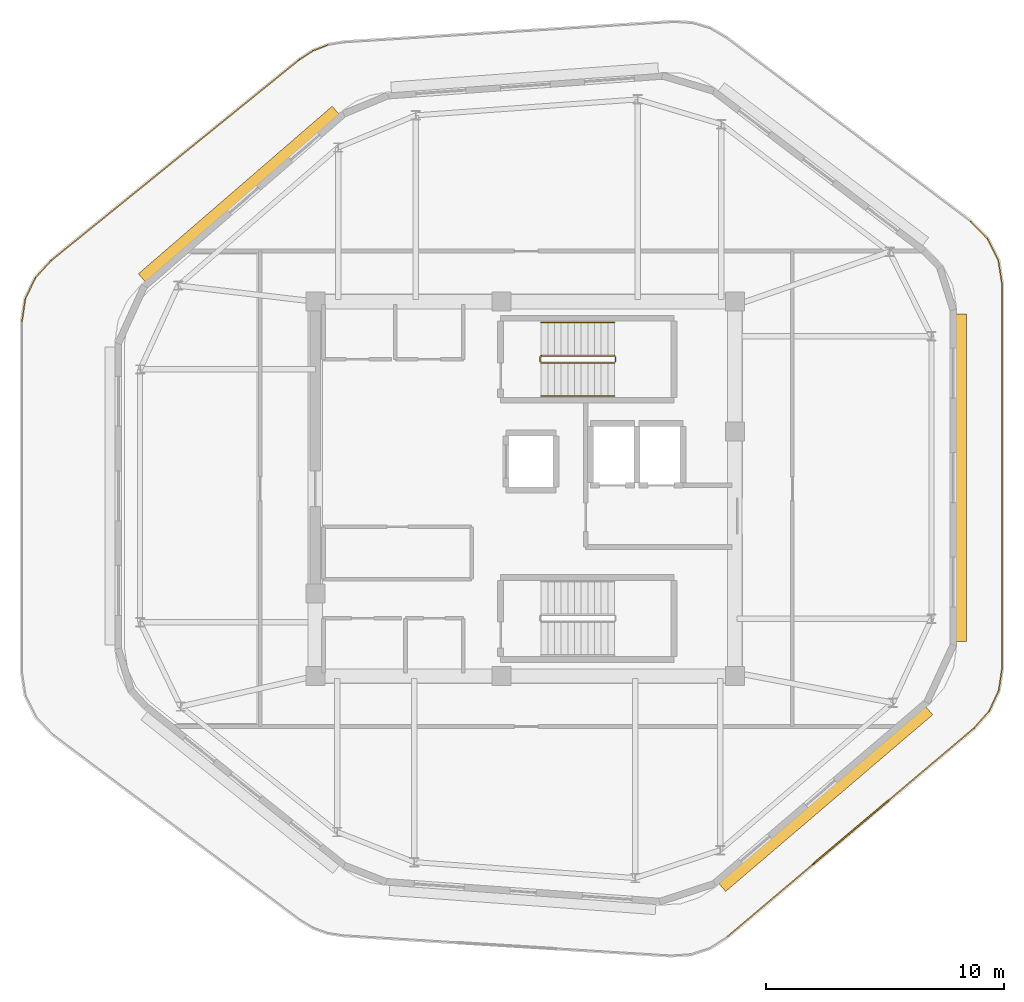
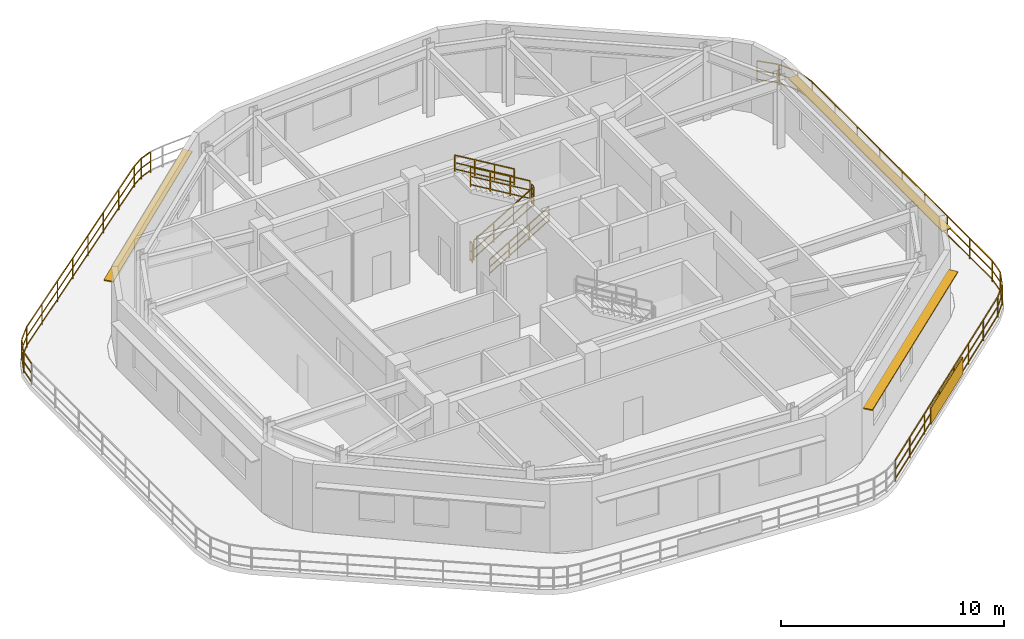
# One storey, part 6 of 7: 20 railings, 4 shading devices.
"""IFC4 building model written with IfcOpenShell, lengths in metres."""

import ifcopenshell
import ifcopenshell.guid

model = None  # the IFC model being written
_history = None  # IfcOwnerHistory: only IFC2X3 demands one
_inside = {}  # id of a spatial element -> (the spatial element, [elements in it])
_under = {}  # id of a project, library or spatial element -> (it, [spatial elements below it])
_declared = {}  # id of a project -> (the project, [libraries it declares])
_typed = {}  # id of a type object -> (the type object, [elements of that type])
_made_of = {}  # id of a material, layer set ... -> (it, [elements and type objects made of it])


def new_model(schema):
    """Start an empty IFC model of exactly this schema.

    Asked for "IFC4X3", IfcOpenShell would pick the latest addendum, in which some entities
    have other attributes; the version numbers below select the first issue.
    IFC2X3 requires an IfcOwnerHistory on every rooted entity: one is made here for all.
    """
    global model, _history
    if schema == "IFC4X3":
        model = ifcopenshell.file(schema_version=(4, 3, 0, 0))
    else:
        model = ifcopenshell.file(schema=schema)
    _inside.clear()
    _under.clear()
    _declared.clear()
    _typed.clear()
    _made_of.clear()
    _history = None
    if model.schema == "IFC2X3":
        org = make("IfcOrganization", Name="unknown")
        user = make(
            "IfcPersonAndOrganization",
            ThePerson=make("IfcPerson", FamilyName="unknown"),
            TheOrganization=org,
        )
        app = make(
            "IfcApplication",
            ApplicationDeveloper=org,
            Version="unknown",
            ApplicationFullName="unknown",
            ApplicationIdentifier="unknown",
        )
        _history = make(
            "IfcOwnerHistory",
            OwningUser=user,
            OwningApplication=app,
            ChangeAction="ADDED",
            CreationDate=0,
        )
    return model


def make(cls, **values):
    """One entity of the class cls with the attributes given. An attribute that is None is left unset."""
    return model.create_entity(
        cls, **{name: value for name, value in values.items() if value is not None}
    )


def rooted(cls, **values):
    """An entity with a GlobalId (a new one), such as an element, a storey or a relation."""
    return make(cls, GlobalId=ifcopenshell.guid.new(), OwnerHistory=_history, **values)


def si_unit(unit_type, name, prefix=None):
    """IfcSIUnit, for example si_unit("LENGTHUNIT", "METRE", prefix="MILLI")."""
    return make("IfcSIUnit", UnitType=unit_type, Prefix=prefix, Name=name)


def assignment(units):
    """IfcUnitAssignment: the units of a project."""
    return None if units is None else make("IfcUnitAssignment", Units=units)


def point(xyz):
    """IfcCartesianPoint."""
    return None if xyz is None else make("IfcCartesianPoint", Coordinates=xyz)


def direction(xyz):
    """IfcDirection."""
    return None if xyz is None else make("IfcDirection", DirectionRatios=xyz)


def frame(location, z_axis=None, x_axis=None):
    """IfcAxis2Placement3D, a coordinate frame: its origin and axes. An axis left out is left unset."""
    return make(
        "IfcAxis2Placement3D",
        Location=point(location),
        Axis=direction(z_axis),
        RefDirection=direction(x_axis),
    )


def frame_2d(location, x_axis=None):
    """IfcAxis2Placement2D, a coordinate frame in the plane: its origin and x axis."""
    return make(
        "IfcAxis2Placement2D", Location=point(location), RefDirection=direction(x_axis)
    )


def origin():
    """The frame at (0, 0, 0) with its axes left unset."""
    return frame((0.0, 0.0, 0.0))


def origin_2d():
    """The frame at (0, 0) in the plane with its x axis left unset."""
    return frame_2d((0.0, 0.0))


def place(relative_to, where):
    """IfcLocalPlacement: puts the frame where relative to a parent placement (None: the world)."""
    return make(
        "IfcLocalPlacement", PlacementRelTo=relative_to, RelativePlacement=where
    )


def context(
    kind, dimensions, precision=None, world=None, true_north=None, identifier=None
):
    """IfcGeometricRepresentationContext, for example the 3D "Model" context."""
    return make(
        "IfcGeometricRepresentationContext",
        ContextIdentifier=identifier,
        ContextType=kind,
        CoordinateSpaceDimension=dimensions,
        Precision=precision,
        WorldCoordinateSystem=world,
        TrueNorth=true_north,
    )


def subcontext(parent, identifier, kind, view, scale=None):
    """IfcGeometricRepresentationSubContext, for example "Body" below "Model"."""
    return make(
        "IfcGeometricRepresentationSubContext",
        ContextIdentifier=identifier,
        ContextType=kind,
        ParentContext=parent,
        TargetScale=scale,
        TargetView=view,
    )


def project(units=None, contexts=None):
    """IfcProject with its units and contexts."""
    return rooted(
        "IfcProject",
        Name="project",
        RepresentationContexts=contexts,
        UnitsInContext=assignment(units),
    )


def spatial(cls, under=None, at=None, **own):
    """A site, building, storey or space (cls), placed at a placement, below another one or the project."""
    s = rooted(cls, ObjectPlacement=at, **own)
    if under is not None:
        _under.setdefault(under.id(), (under, []))[1].append(s)
    return s


def profile(cls, at=None, kind="AREA", **sizes):
    """A parametric profile (cls). Its sizes go by their IFC names, for example OverallWidth=200.0."""
    return make(cls, ProfileType=kind, Position=at, **sizes)


def rectangle(**sizes):
    """IfcRectangleProfileDef."""
    return profile("IfcRectangleProfileDef", **sizes)


def extrude(swept, where, along, depth):
    """IfcExtrudedAreaSolid: the profile swept, set in the frame where, extruded along a direction by depth."""
    return make(
        "IfcExtrudedAreaSolid",
        SweptArea=swept,
        Position=where,
        ExtrudedDirection=direction(along),
        Depth=depth,
    )


def shape(context_of_items, identifier, shape_type, items):
    """IfcShapeRepresentation: the items that make up one representation, for example the "Body"."""
    return make(
        "IfcShapeRepresentation",
        ContextOfItems=context_of_items,
        RepresentationIdentifier=identifier,
        RepresentationType=shape_type,
        Items=items,
    )


def material(Name=None, Category=None):
    """IfcMaterial."""
    return make("IfcMaterial", Name=Name, Category=Category)


def layer(
    of_material, thickness, ventilated=None, Name=None, Category=None, Priority=None
):
    """IfcMaterialLayer: one layer of a wall or slab, of a material (None: an air gap)."""
    return make(
        "IfcMaterialLayer",
        Material=of_material,
        LayerThickness=thickness,
        IsVentilated=ventilated,
        Name=Name,
        Category=Category,
        Priority=Priority,
    )


def layer_set(layers, Name=None):
    """IfcMaterialLayerSet."""
    return make("IfcMaterialLayerSet", MaterialLayers=layers, LayerSetName=Name)


def made_of(thing, what):
    """Note that an element or type object is made of a material, layer set ...; save() writes the relation."""
    if what is not None:
        _made_of.setdefault(what.id(), (what, []))[1].append(thing)
    return thing


def type_object(cls, material=None, **own):
    """A type object (cls), such as IfcWallType, which elements share."""
    return made_of(rooted(cls, **own), material)


def element(
    cls,
    number,
    at=None,
    inside=None,
    cuts=None,
    type_object=None,
    material=None,
    context=None,
    identifier="Body",
    shape_type=None,
    held_by="IfcProductDefinitionShape",
    body=None,
    shapes=None,
    **own,
):
    """One element of the class cls, such as IfcWall. Its Tag is "e" and its number.

    at: its placement. inside: the storey or other place that contains it. cuts: it is an
    opening in that element (IfcRelVoidsElement). A single representation is given by context,
    identifier, shape_type and body (its items); several are given by shapes. held_by: the class
    of the entity that holds the representations. save() writes the other relations.
    """
    e = rooted(cls, Tag="e%d" % number, ObjectPlacement=at, **own)
    if body is not None:
        shapes = [shape(context, identifier, shape_type, body)]
    if shapes is not None:
        e.Representation = make(held_by, Representations=shapes)
    if inside is not None:
        _inside.setdefault(inside.id(), (inside, []))[1].append(e)
    if cuts is not None:
        rooted(
            "IfcRelVoidsElement", RelatingBuildingElement=cuts, RelatedOpeningElement=e
        )
    if type_object is not None:
        _typed.setdefault(type_object.id(), (type_object, []))[1].append(e)
    return made_of(e, material)


def aggregate(whole, parts):
    """IfcRelAggregates: a whole, such as a stair, and the parts it consists of."""
    return rooted("IfcRelAggregates", RelatingObject=whole, RelatedObjects=parts)


def save(model, path):
    """Write the relations noted so far, then the file.

    IfcRelAggregates (storeys below a building ...), IfcRelContainedInSpatialStructure (elements
    in a storey), IfcRelDefinesByType, IfcRelAssociatesMaterial and IfcRelDeclares: one each for
    every whole, place, type object, material and project.
    """
    for whole, parts in _under.values():
        aggregate(whole, parts)
    for where, things in _inside.values():
        rooted(
            "IfcRelContainedInSpatialStructure",
            RelatedElements=things,
            RelatingStructure=where,
        )
    for kind, things in _typed.values():
        rooted("IfcRelDefinesByType", RelatedObjects=things, RelatingType=kind)
    for what, things in _made_of.values():
        rooted("IfcRelAssociatesMaterial", RelatedObjects=things, RelatingMaterial=what)
    for by, libraries in _declared.values():
        rooted("IfcRelDeclares", RelatingContext=by, RelatedDefinitions=libraries)
    model.write(path)


model = new_model("IFC4")

# Units and contexts
model_context = context("Model", 3, precision=1e-05, world=origin(), true_north=direction((0.0, 1.0)))
body_context = subcontext(model_context, "Body", "Model", "MODEL_VIEW")
ifc_project = project(units=[si_unit("LENGTHUNIT", "METRE"), si_unit("AREAUNIT", "SQUARE_METRE"), si_unit("VOLUMEUNIT", "CUBIC_METRE"), si_unit("PLANEANGLEUNIT", "RADIAN"), si_unit("MASSUNIT", "GRAM", prefix="KILO")], contexts=[model_context])

# Site, building, storey
site_placement = place(None, origin())
site = spatial("IfcSite", under=ifc_project, at=site_placement, CompositionType="ELEMENT")
building_placement = place(site_placement, origin())
building = spatial("IfcBuilding", under=site, at=building_placement, Name="Zulverin Broadcast Headquarters", CompositionType="ELEMENT")
storey_placement = place(building_placement, frame((0.0, 0.0, 321.39990234375)))
storey = spatial("IfcBuildingStorey", under=building, at=storey_placement, Name="C3", CompositionType="ELEMENT", Elevation=321.39990234375)

# Railings
ifc_material_1 = material(Name="Brushed stainless steel & laminated glass balustrade", Category="steel")
railing_type_1 = type_object("IfcRailingType", Name="RL-GUARD-1150", PredefinedType="GUARDRAIL", material=ifc_material_1)
railing_1_placement = place(storey_placement, frame((18.2822265625, 32.234619140625, 0.0)))
element("IfcRailing", 1, at=railing_1_placement, inside=storey, type_object=railing_type_1, Name="C3 Stepped Crown Terrace Perimeter Balustrade Segment 06", PredefinedType="GUARDRAIL", context=body_context, shape_type="SweptSolid", body=[
    extrude(rectangle(XDim=0.048095703125, YDim=0.048095703125, at=origin_2d()), frame((0.0, 0.0, 1.1259765625), z_axis=(0.147879132693, 0.989005440892, 0.0), x_axis=(-0.989005440892, 0.147879132693, 0.0)), (0.0, 0.0, 1.0), 0.95751953125),
    extrude(rectangle(XDim=0.0419921875, YDim=0.0419921875, at=origin_2d()), frame((0.0, 0.0, 0.597900390625), z_axis=(0.147879132693, 0.989005440892, 0.0), x_axis=(-0.989005440892, 0.147879132693, 0.0)), (0.0, 0.0, 1.0), 0.95751953125),
    extrude(rectangle(XDim=0.0419921875, YDim=0.0419921875, at=origin_2d()), frame((0.0, 0.0, 0.1201171875), z_axis=(0.147879132693, 0.989005440892, 0.0), x_axis=(-0.989005440892, 0.147879132693, 0.0)), (0.0, 0.0, 1.0), 0.95751953125),
    extrude(rectangle(XDim=0.0419921875, YDim=0.0419921875, at=origin_2d()), origin(), (0.0, 0.0, 1.0), 1.101806640625),
    extrude(rectangle(XDim=0.0419921875, YDim=0.0419921875, at=origin_2d()), frame((0.1416015625, 0.947021484375, 0.0)), (0.0, 0.0, 1.0), 1.101806640625),
])
railing_2_placement = place(storey_placement, frame((18.4326171875, 33.2099609375, 0.0)))
element("IfcRailing", 2, at=railing_2_placement, inside=storey, type_object=railing_type_1, Name="C3 Stepped Crown Terrace Perimeter Balustrade Segment 07", PredefinedType="GUARDRAIL", context=body_context, shape_type="SweptSolid", body=[
    extrude(rectangle(XDim=0.048095703125, YDim=0.048095703125, at=origin_2d()), frame((0.0, 0.0, 1.1259765625), z_axis=(0.430511112686, 0.902585276776, 0.0), x_axis=(-0.902585276776, 0.430511112686, 0.0)), (0.0, 0.0, 1.0), 0.95166015625),
    extrude(rectangle(XDim=0.0419921875, YDim=0.0419921875, at=origin_2d()), frame((0.0, 0.0, 0.597900390625), z_axis=(0.430511112686, 0.902585276776, 0.0), x_axis=(-0.902585276776, 0.430511112686, 0.0)), (0.0, 0.0, 1.0), 0.95166015625),
    extrude(rectangle(XDim=0.0419921875, YDim=0.0419921875, at=origin_2d()), frame((0.0, 0.0, 0.1201171875), z_axis=(0.430511112686, 0.902585276776, 0.0), x_axis=(-0.902585276776, 0.430511112686, 0.0)), (0.0, 0.0, 1.0), 0.95166015625),
    extrude(rectangle(XDim=0.0419921875, YDim=0.0419921875, at=origin_2d()), origin(), (0.0, 0.0, 1.0), 1.101806640625),
    extrude(rectangle(XDim=0.0419921875, YDim=0.0419921875, at=origin_2d()), frame((0.40966796875, 0.85888671875, 0.0)), (0.0, 0.0, 1.0), 1.101806640625),
])
railing_3_placement = place(storey_placement, frame((18.85888671875, 34.093505859375, 0.0)))
element("IfcRailing", 3, at=railing_3_placement, inside=storey, type_object=railing_type_1, Name="C3 Stepped Crown Terrace Perimeter Balustrade Segment 08", PredefinedType="GUARDRAIL", context=body_context, shape_type="SweptSolid", body=[
    extrude(rectangle(XDim=0.048095703125, YDim=0.048095703125, at=origin_2d()), frame((0.0, 0.0, 1.1259765625), z_axis=(0.67584010732, 0.737048267983, 0.0), x_axis=(-0.737048267983, 0.67584010732, 0.0)), (0.0, 0.0, 1.0), 0.957275390625),
    extrude(rectangle(XDim=0.0419921875, YDim=0.0419921875, at=origin_2d()), frame((0.0, 0.0, 0.597900390625), z_axis=(0.67584010732, 0.737048267983, 0.0), x_axis=(-0.737048267983, 0.67584010732, 0.0)), (0.0, 0.0, 1.0), 0.957275390625),
    extrude(rectangle(XDim=0.0419921875, YDim=0.0419921875, at=origin_2d()), frame((0.0, 0.0, 0.1201171875), z_axis=(0.67584010732, 0.737048267983, 0.0), x_axis=(-0.737048267983, 0.67584010732, 0.0)), (0.0, 0.0, 1.0), 0.957275390625),
    extrude(rectangle(XDim=0.0419921875, YDim=0.0419921875, at=origin_2d()), origin(), (0.0, 0.0, 1.0), 1.101806640625),
    extrude(rectangle(XDim=0.0419921875, YDim=0.0419921875, at=origin_2d()), frame((0.64697265625, 0.70556640625, 0.0)), (0.0, 0.0, 1.0), 1.101806640625),
])
railing_4_placement = place(storey_placement, frame((19.527587890625, 34.819580078125, 0.0)))
element("IfcRailing", 4, at=railing_4_placement, inside=storey, type_object=railing_type_1, Name="C3 Stepped Crown Terrace Perimeter Balustrade Segment 09", PredefinedType="GUARDRAIL", context=body_context, shape_type="SweptSolid", body=[
    extrude(rectangle(XDim=0.048095703125, YDim=0.048095703125, at=origin_2d()), frame((0.0, 0.0, 1.1259765625), z_axis=(0.777321303861, 0.629103799515, 0.0), x_axis=(-0.629103799515, 0.777321303861, 0.0)), (0.0, 0.0, 1.0), 13.38818359375),
    extrude(rectangle(XDim=0.0419921875, YDim=0.0419921875, at=origin_2d()), frame((0.0, 0.0, 0.597900390625), z_axis=(0.777321303861, 0.629103799515, 0.0), x_axis=(-0.629103799515, 0.777321303861, 0.0)), (0.0, 0.0, 1.0), 13.38818359375),
    extrude(rectangle(XDim=0.0419921875, YDim=0.0419921875, at=origin_2d()), frame((0.0, 0.0, 0.1201171875), z_axis=(0.777321303861, 0.629103799515, 0.0), x_axis=(-0.629103799515, 0.777321303861, 0.0)), (0.0, 0.0, 1.0), 13.38818359375),
    extrude(rectangle(XDim=0.0419921875, YDim=0.0419921875, at=origin_2d()), origin(), (0.0, 0.0, 1.0), 1.101806640625),
    extrude(rectangle(XDim=0.0419921875, YDim=0.0419921875, at=origin_2d()), frame((1.48681640625, 1.203125, 0.0)), (0.0, 0.0, 1.0), 1.101806640625),
    extrude(rectangle(XDim=0.0419921875, YDim=0.0419921875, at=origin_2d()), frame((2.973388671875, 2.406494140625, 0.0)), (0.0, 0.0, 1.0), 1.101806640625),
    extrude(rectangle(XDim=0.0419921875, YDim=0.0419921875, at=origin_2d()), frame((4.460205078125, 3.609619140625, 0.0)), (0.0, 0.0, 1.0), 1.101806640625),
    extrude(rectangle(XDim=0.0419921875, YDim=0.0419921875, at=origin_2d()), frame((5.94677734375, 4.81298828125, 0.0)), (0.0, 0.0, 1.0), 1.101806640625),
    extrude(rectangle(XDim=0.0419921875, YDim=0.0419921875, at=origin_2d()), frame((7.43359375, 6.01611328125, 0.0)), (0.0, 0.0, 1.0), 1.101806640625),
    extrude(rectangle(XDim=0.0419921875, YDim=0.0419921875, at=origin_2d()), frame((8.920166015625, 7.219482421875, 0.0)), (0.0, 0.0, 1.0), 1.101806640625),
    extrude(rectangle(XDim=0.0419921875, YDim=0.0419921875, at=origin_2d()), frame((10.406982421875, 8.422607421875, 0.0)), (0.0, 0.0, 1.0), 1.101806640625),
])
railing_5_placement = place(storey_placement, frame((29.958984375, 43.259765625, 0.0)))
element("IfcRailing", 5, at=railing_5_placement, inside=storey, type_object=railing_type_1, Name="C3 Stepped Crown Terrace Perimeter Balustrade Segment 10", PredefinedType="GUARDRAIL", context=body_context, shape_type="SweptSolid", body=[
    extrude(rectangle(XDim=0.048095703125, YDim=0.048095703125, at=origin_2d()), frame((0.0, 0.0, 1.1259765625), z_axis=(0.838112584838, 0.545497291594, 0.0), x_axis=(-0.545497291594, 0.838112584838, 0.0)), (0.0, 0.0, 1.0), 0.657470703125),
    extrude(rectangle(XDim=0.0419921875, YDim=0.0419921875, at=origin_2d()), frame((0.0, 0.0, 0.597900390625), z_axis=(0.838112584838, 0.545497291594, 0.0), x_axis=(-0.545497291594, 0.838112584838, 0.0)), (0.0, 0.0, 1.0), 0.657470703125),
    extrude(rectangle(XDim=0.0419921875, YDim=0.0419921875, at=origin_2d()), frame((0.0, 0.0, 0.1201171875), z_axis=(0.838112584838, 0.545497291594, 0.0), x_axis=(-0.545497291594, 0.838112584838, 0.0)), (0.0, 0.0, 1.0), 0.657470703125),
    extrude(rectangle(XDim=0.0419921875, YDim=0.0419921875, at=origin_2d()), origin(), (0.0, 0.0, 1.0), 1.101806640625),
    extrude(rectangle(XDim=0.0419921875, YDim=0.0419921875, at=origin_2d()), frame((0.551025390625, 0.358642578125, 0.0)), (0.0, 0.0, 1.0), 1.101806640625),
])
railing_6_placement = place(storey_placement, frame((30.53662109375, 43.632080078125, 0.0)))
element("IfcRailing", 6, at=railing_6_placement, inside=storey, type_object=railing_type_1, Name="C3 Stepped Crown Terrace Perimeter Balustrade Segment 11", PredefinedType="GUARDRAIL", context=body_context, shape_type="SweptSolid", body=[
    extrude(rectangle(XDim=0.048095703125, YDim=0.048095703125, at=origin_2d()), frame((0.0, 0.0, 1.1259765625), z_axis=(0.931864360626, 0.362806854117, 0.0), x_axis=(-0.362806854117, 0.931864360626, 0.0)), (0.0, 0.0, 1.0), 0.6533203125),
    extrude(rectangle(XDim=0.0419921875, YDim=0.0419921875, at=origin_2d()), frame((0.0, 0.0, 0.597900390625), z_axis=(0.931864360626, 0.362806854117, 0.0), x_axis=(-0.362806854117, 0.931864360626, 0.0)), (0.0, 0.0, 1.0), 0.6533203125),
    extrude(rectangle(XDim=0.0419921875, YDim=0.0419921875, at=origin_2d()), frame((0.0, 0.0, 0.1201171875), z_axis=(0.931864360626, 0.362806854117, 0.0), x_axis=(-0.362806854117, 0.931864360626, 0.0)), (0.0, 0.0, 1.0), 0.6533203125),
    extrude(rectangle(XDim=0.0419921875, YDim=0.0419921875, at=origin_2d()), origin(), (0.0, 0.0, 1.0), 1.101806640625),
    extrude(rectangle(XDim=0.0419921875, YDim=0.0419921875, at=origin_2d()), frame((0.60888671875, 0.237060546875, 0.0)), (0.0, 0.0, 1.0), 1.101806640625),
])
railing_7_placement = place(storey_placement, frame((58.200439453125, 36.445068359375, 0.0)))
element("IfcRailing", 7, at=railing_7_placement, inside=storey, type_object=railing_type_1, Name="C3 Stepped Crown Terrace Perimeter Balustrade Segment 18", PredefinedType="GUARDRAIL", context=body_context, shape_type="SweptSolid", body=[
    extrude(rectangle(XDim=0.048095703125, YDim=0.048095703125, at=origin_2d()), frame((0.0, 0.0, 1.1259765625), z_axis=(0.697365162044, -0.716716004264, 0.0), x_axis=(0.716716004264, 0.697365162044, 0.0)), (0.0, 0.0, 1.0), 0.996826171875),
    extrude(rectangle(XDim=0.0419921875, YDim=0.0419921875, at=origin_2d()), frame((0.0, 0.0, 0.597900390625), z_axis=(0.697365162044, -0.716716004264, 0.0), x_axis=(0.716716004264, 0.697365162044, 0.0)), (0.0, 0.0, 1.0), 0.996826171875),
    extrude(rectangle(XDim=0.0419921875, YDim=0.0419921875, at=origin_2d()), frame((0.0, 0.0, 0.1201171875), z_axis=(0.697365162044, -0.716716004264, 0.0), x_axis=(0.716716004264, 0.697365162044, 0.0)), (0.0, 0.0, 1.0), 0.996826171875),
    extrude(rectangle(XDim=0.0419921875, YDim=0.0419921875, at=origin_2d()), origin(), (0.0, 0.0, 1.0), 1.101806640625),
    extrude(rectangle(XDim=0.0419921875, YDim=0.0419921875, at=origin_2d()), frame((0.695068359375, -0.71435546875, 0.0)), (0.0, 0.0, 1.0), 1.101806640625),
])
railing_8_placement = place(storey_placement, frame((58.912841796875, 35.70654296875, 0.0)))
element("IfcRailing", 8, at=railing_8_placement, inside=storey, type_object=railing_type_1, Name="C3 Stepped Crown Terrace Perimeter Balustrade Segment 19", PredefinedType="GUARDRAIL", context=body_context, shape_type="SweptSolid", body=[
    extrude(rectangle(XDim=0.048095703125, YDim=0.048095703125, at=origin_2d()), frame((0.0, 0.0, 1.1259765625), z_axis=(0.446819227293, -0.89462426645, 0.0), x_axis=(0.89462426645, 0.446819227293, 0.0)), (0.0, 0.0, 1.0), 0.99072265625),
    extrude(rectangle(XDim=0.0419921875, YDim=0.0419921875, at=origin_2d()), frame((0.0, 0.0, 0.597900390625), z_axis=(0.446819227293, -0.89462426645, 0.0), x_axis=(0.89462426645, 0.446819227293, 0.0)), (0.0, 0.0, 1.0), 0.99072265625),
    extrude(rectangle(XDim=0.0419921875, YDim=0.0419921875, at=origin_2d()), frame((0.0, 0.0, 0.1201171875), z_axis=(0.446819227293, -0.89462426645, 0.0), x_axis=(0.89462426645, 0.446819227293, 0.0)), (0.0, 0.0, 1.0), 0.99072265625),
    extrude(rectangle(XDim=0.0419921875, YDim=0.0419921875, at=origin_2d()), origin(), (0.0, 0.0, 1.0), 1.101806640625),
    extrude(rectangle(XDim=0.0419921875, YDim=0.0419921875, at=origin_2d()), frame((0.442626953125, -0.88623046875, 0.0)), (0.0, 0.0, 1.0), 1.101806640625),
])
railing_9_placement = place(storey_placement, frame((59.364501953125, 34.7919921875, 0.0)))
element("IfcRailing", 9, at=railing_9_placement, inside=storey, type_object=railing_type_1, Name="C3 Stepped Crown Terrace Perimeter Balustrade Segment 20", PredefinedType="GUARDRAIL", context=body_context, shape_type="SweptSolid", body=[
    extrude(rectangle(XDim=0.048095703125, YDim=0.048095703125, at=origin_2d()), frame((0.0, 0.0, 1.1259765625), z_axis=(0.153547599807, -0.988141252349, 0.0), x_axis=(0.988141252349, 0.153547599807, 0.0)), (0.0, 0.0, 1.0), 0.996826171875),
    extrude(rectangle(XDim=0.0419921875, YDim=0.0419921875, at=origin_2d()), frame((0.0, 0.0, 0.597900390625), z_axis=(0.153547599807, -0.988141252349, 0.0), x_axis=(0.988141252349, 0.153547599807, 0.0)), (0.0, 0.0, 1.0), 0.996826171875),
    extrude(rectangle(XDim=0.0419921875, YDim=0.0419921875, at=origin_2d()), frame((0.0, 0.0, 0.1201171875), z_axis=(0.153547599807, -0.988141252349, 0.0), x_axis=(0.988141252349, 0.153547599807, 0.0)), (0.0, 0.0, 1.0), 0.996826171875),
    extrude(rectangle(XDim=0.0419921875, YDim=0.0419921875, at=origin_2d()), origin(), (0.0, 0.0, 1.0), 1.101806640625),
    extrude(rectangle(XDim=0.0419921875, YDim=0.0419921875, at=origin_2d()), frame((0.153076171875, -0.985107421875, 0.0)), (0.0, 0.0, 1.0), 1.101806640625),
])
railing_10_placement = place(storey_placement, frame((59.52001953125, 33.777099609375, 0.0)))
element("IfcRailing", 10, at=railing_10_placement, inside=storey, type_object=railing_type_1, Name="C3 Stepped Crown Terrace Perimeter Balustrade Segment 21", PredefinedType="GUARDRAIL", context=body_context, shape_type="SweptSolid", body=[
    extrude(rectangle(XDim=0.048095703125, YDim=0.048095703125, at=origin_2d()), frame((0.0, 0.0, 1.1259765625), z_axis=(0.0, -1.0, 0.0), x_axis=(1.0, 0.0, 0.0)), (0.0, 0.0, 1.0), 16.086669921875),
    extrude(rectangle(XDim=0.0419921875, YDim=0.0419921875, at=origin_2d()), frame((0.0, 0.0, 0.597900390625), z_axis=(0.0, -1.0, 0.0), x_axis=(1.0, 0.0, 0.0)), (0.0, 0.0, 1.0), 16.086669921875),
    extrude(rectangle(XDim=0.0419921875, YDim=0.0419921875, at=origin_2d()), frame((0.0, 0.0, 0.1201171875), z_axis=(0.0, -1.0, 0.0), x_axis=(1.0, 0.0, 0.0)), (0.0, 0.0, 1.0), 16.086669921875),
    extrude(rectangle(XDim=0.0419921875, YDim=0.0419921875, at=origin_2d()), origin(), (0.0, 0.0, 1.0), 1.101806640625),
    extrude(rectangle(XDim=0.0419921875, YDim=0.0419921875, at=origin_2d()), frame((0.0, -2.0107421875, 0.0)), (0.0, 0.0, 1.0), 1.101806640625),
    extrude(rectangle(XDim=0.0419921875, YDim=0.0419921875, at=origin_2d()), frame((0.0, -4.021728515625, 0.0)), (0.0, 0.0, 1.0), 1.101806640625),
    extrude(rectangle(XDim=0.0419921875, YDim=0.0419921875, at=origin_2d()), frame((0.0, -6.032470703125, 0.0)), (0.0, 0.0, 1.0), 1.101806640625),
    extrude(rectangle(XDim=0.0419921875, YDim=0.0419921875, at=origin_2d()), frame((0.0, -8.04345703125, 0.0)), (0.0, 0.0, 1.0), 1.101806640625),
    extrude(rectangle(XDim=0.0419921875, YDim=0.0419921875, at=origin_2d()), frame((0.0, -10.05419921875, 0.0)), (0.0, 0.0, 1.0), 1.101806640625),
    extrude(rectangle(XDim=0.0419921875, YDim=0.0419921875, at=origin_2d()), frame((0.0, -12.06494140625, 0.0)), (0.0, 0.0, 1.0), 1.101806640625),
    extrude(rectangle(XDim=0.0419921875, YDim=0.0419921875, at=origin_2d()), frame((0.0, -14.075927734375, 0.0)), (0.0, 0.0, 1.0), 1.101806640625),
    extrude(rectangle(XDim=0.0419921875, YDim=0.0419921875, at=origin_2d()), frame((0.0, -16.086669921875, 0.0)), (0.0, 0.0, 1.0), 1.101806640625),
])
railing_11_placement = place(storey_placement, frame((59.517822265625, 17.66064453125, 0.0)))
element("IfcRailing", 11, at=railing_11_placement, inside=storey, type_object=railing_type_1, Name="C3 Stepped Crown Terrace Perimeter Balustrade Segment 22", PredefinedType="GUARDRAIL", context=body_context, shape_type="SweptSolid", body=[
    extrude(rectangle(XDim=0.048095703125, YDim=0.048095703125, at=origin_2d()), frame((0.0, 0.0, 1.1259765625), z_axis=(-0.144312226214, -0.989532203299, 0.0), x_axis=(0.989532203299, -0.144312226214, 0.0)), (0.0, 0.0, 1.0), 0.933837890625),
    extrude(rectangle(XDim=0.0419921875, YDim=0.0419921875, at=origin_2d()), frame((0.0, 0.0, 0.597900390625), z_axis=(-0.144312226214, -0.989532203299, 0.0), x_axis=(0.989532203299, -0.144312226214, 0.0)), (0.0, 0.0, 1.0), 0.933837890625),
    extrude(rectangle(XDim=0.0419921875, YDim=0.0419921875, at=origin_2d()), frame((0.0, 0.0, 0.1201171875), z_axis=(-0.144312226214, -0.989532203299, 0.0), x_axis=(0.989532203299, -0.144312226214, 0.0)), (0.0, 0.0, 1.0), 0.933837890625),
    extrude(rectangle(XDim=0.0419921875, YDim=0.0419921875, at=origin_2d()), origin(), (0.0, 0.0, 1.0), 1.101806640625),
    extrude(rectangle(XDim=0.0419921875, YDim=0.0419921875, at=origin_2d()), frame((-0.134765625, -0.924072265625, 0.0)), (0.0, 0.0, 1.0), 1.101806640625),
])
railing_12_placement = place(storey_placement, frame((59.37451171875, 16.7080078125, 0.0)))
element("IfcRailing", 12, at=railing_12_placement, inside=storey, type_object=railing_type_1, Name="C3 Stepped Crown Terrace Perimeter Balustrade Segment 23", PredefinedType="GUARDRAIL", context=body_context, shape_type="SweptSolid", body=[
    extrude(rectangle(XDim=0.048095703125, YDim=0.048095703125, at=origin_2d()), frame((0.0, 0.0, 1.1259765625), z_axis=(-0.42102625995, -0.907048448779, 0.0), x_axis=(0.907048448779, -0.42102625995, 0.0)), (0.0, 0.0, 1.0), 0.927734375),
    extrude(rectangle(XDim=0.0419921875, YDim=0.0419921875, at=origin_2d()), frame((0.0, 0.0, 0.597900390625), z_axis=(-0.42102625995, -0.907048448779, 0.0), x_axis=(0.907048448779, -0.42102625995, 0.0)), (0.0, 0.0, 1.0), 0.927734375),
    extrude(rectangle(XDim=0.0419921875, YDim=0.0419921875, at=origin_2d()), frame((0.0, 0.0, 0.1201171875), z_axis=(-0.42102625995, -0.907048448779, 0.0), x_axis=(0.907048448779, -0.42102625995, 0.0)), (0.0, 0.0, 1.0), 0.927734375),
    extrude(rectangle(XDim=0.0419921875, YDim=0.0419921875, at=origin_2d()), origin(), (0.0, 0.0, 1.0), 1.101806640625),
    extrude(rectangle(XDim=0.0419921875, YDim=0.0419921875, at=origin_2d()), frame((-0.390625, -0.841552734375, 0.0)), (0.0, 0.0, 1.0), 1.101806640625),
])
railing_13_placement = place(storey_placement, frame((58.9677734375, 15.841552734375, 0.0)))
element("IfcRailing", 13, at=railing_13_placement, inside=storey, type_object=railing_type_1, Name="C3 Stepped Crown Terrace Perimeter Balustrade Segment 24", PredefinedType="GUARDRAIL", context=body_context, shape_type="SweptSolid", body=[
    extrude(rectangle(XDim=0.048095703125, YDim=0.048095703125, at=origin_2d()), frame((0.0, 0.0, 1.1259765625), z_axis=(-0.662382096437, -0.749166175371, 0.0), x_axis=(0.749166175371, -0.662382096437, 0.0)), (0.0, 0.0, 1.0), 0.93408203125),
    extrude(rectangle(XDim=0.0419921875, YDim=0.0419921875, at=origin_2d()), frame((0.0, 0.0, 0.597900390625), z_axis=(-0.662382096437, -0.749166175371, 0.0), x_axis=(0.749166175371, -0.662382096437, 0.0)), (0.0, 0.0, 1.0), 0.93408203125),
    extrude(rectangle(XDim=0.0419921875, YDim=0.0419921875, at=origin_2d()), frame((0.0, 0.0, 0.1201171875), z_axis=(-0.662382096437, -0.749166175371, 0.0), x_axis=(0.749166175371, -0.662382096437, 0.0)), (0.0, 0.0, 1.0), 0.93408203125),
    extrude(rectangle(XDim=0.0419921875, YDim=0.0419921875, at=origin_2d()), origin(), (0.0, 0.0, 1.0), 1.101806640625),
    extrude(rectangle(XDim=0.0419921875, YDim=0.0419921875, at=origin_2d()), frame((-0.61865234375, -0.69970703125, 0.0)), (0.0, 0.0, 1.0), 1.101806640625),
])
railing_14_placement = place(storey_placement, frame((58.327880859375, 15.12109375, 0.0)))
element("IfcRailing", 14, at=railing_14_placement, inside=storey, type_object=railing_type_1, Name="C3 Stepped Crown Terrace Perimeter Balustrade Segment 25", PredefinedType="GUARDRAIL", context=body_context, shape_type="SweptSolid", body=[
    extrude(rectangle(XDim=0.048095703125, YDim=0.048095703125, at=origin_2d()), frame((0.0, 0.0, 1.1259765625), z_axis=(-0.763588848524, -0.645702772496, 0.0), x_axis=(0.645702772496, -0.763588848524, 0.0)), (0.0, 0.0, 1.0), 13.575439453125),
    extrude(rectangle(XDim=0.0419921875, YDim=0.0419921875, at=origin_2d()), frame((0.0, 0.0, 0.597900390625), z_axis=(-0.763588848524, -0.645702772496, 0.0), x_axis=(0.645702772496, -0.763588848524, 0.0)), (0.0, 0.0, 1.0), 13.575439453125),
    extrude(rectangle(XDim=0.0419921875, YDim=0.0419921875, at=origin_2d()), frame((0.0, 0.0, 0.1201171875), z_axis=(-0.763588848524, -0.645702772496, 0.0), x_axis=(0.645702772496, -0.763588848524, 0.0)), (0.0, 0.0, 1.0), 13.575439453125),
    extrude(rectangle(XDim=0.0419921875, YDim=0.0419921875, at=origin_2d()), origin(), (0.0, 0.0, 1.0), 1.101806640625),
    extrude(rectangle(XDim=0.0419921875, YDim=0.0419921875, at=origin_2d()), frame((-1.48095703125, -1.252197265625, 0.0)), (0.0, 0.0, 1.0), 1.101806640625),
    extrude(rectangle(XDim=0.0419921875, YDim=0.0419921875, at=origin_2d()), frame((-2.961669921875, -2.50439453125, 0.0)), (0.0, 0.0, 1.0), 1.101806640625),
    extrude(rectangle(XDim=0.0419921875, YDim=0.0419921875, at=origin_2d()), frame((-4.442626953125, -3.756591796875, 0.0)), (0.0, 0.0, 1.0), 1.101806640625),
    extrude(rectangle(XDim=0.0419921875, YDim=0.0419921875, at=origin_2d()), frame((-5.92333984375, -5.009033203125, 0.0)), (0.0, 0.0, 1.0), 1.101806640625),
    extrude(rectangle(XDim=0.0419921875, YDim=0.0419921875, at=origin_2d()), frame((-7.404296875, -6.26123046875, 0.0)), (0.0, 0.0, 1.0), 1.101806640625),
    extrude(rectangle(XDim=0.0419921875, YDim=0.0419921875, at=origin_2d()), frame((-8.885009765625, -7.513427734375, 0.0)), (0.0, 0.0, 1.0), 1.101806640625),
    extrude(rectangle(XDim=0.0419921875, YDim=0.0419921875, at=origin_2d()), frame((-10.365966796875, -8.765625, 0.0)), (0.0, 0.0, 1.0), 1.101806640625),
])
ifc_material_2 = material(Name="Painted galvanized steel tubular guardrail S355JR", Category="steel")
railing_type_2 = type_object("IfcRailingType", Name="RL-ST-GUARD", PredefinedType="GUARDRAIL", material=ifc_material_2)
railing_15_placement = place(storey_placement, frame((40.1298828125, 30.5, 0.166748046875)))
element("IfcRailing", 15, at=railing_15_placement, inside=storey, type_object=railing_type_2, Name="C3 ST-1 stair guard 1", PredefinedType="GUARDRAIL", context=body_context, shape_type="SweptSolid", body=[
    extrude(rectangle(XDim=0.048095703125, YDim=0.048095703125, at=origin_2d()), frame((0.0, 0.0, 1.076171875), z_axis=(0.859308565015, 0.0, 0.511457515432), x_axis=(0.0, 1.0, 0.0)), (0.0, 0.0, 1.0), 3.58447265625),
    extrude(rectangle(XDim=0.0419921875, YDim=0.0419921875, at=origin_2d()), frame((0.0, 0.0, 0.572021484375), z_axis=(0.859308565015, 0.0, 0.511457515432), x_axis=(0.0, 1.0, 0.0)), (0.0, 0.0, 1.0), 3.58447265625),
    extrude(rectangle(XDim=0.0419921875, YDim=0.0419921875, at=origin_2d()), frame((0.0, 0.0, 0.1201171875), z_axis=(0.859308565015, 0.0, 0.511457515432), x_axis=(0.0, 1.0, 0.0)), (0.0, 0.0, 1.0), 3.58447265625),
    extrude(rectangle(XDim=0.0419921875, YDim=0.0419921875, at=origin_2d()), origin(), (0.0, 0.0, 1.0), 1.052001953125),
    extrude(rectangle(XDim=0.0419921875, YDim=0.0419921875, at=origin_2d()), frame((1.026611328125, 0.0, 0.611083984375)), (0.0, 0.0, 1.0), 1.052001953125),
    extrude(rectangle(XDim=0.0419921875, YDim=0.0419921875, at=origin_2d()), frame((2.053466796875, 0.0, 1.22216796875)), (0.0, 0.0, 1.0), 1.052001953125),
    extrude(rectangle(XDim=0.0419921875, YDim=0.0419921875, at=origin_2d()), frame((3.080078125, 0.0, 1.833251953125)), (0.0, 0.0, 1.0), 1.052001953125),
])
railing_16_placement = place(storey_placement, frame((43.260009765625, 30.550048828125, 2.0)))
element("IfcRailing", 16, at=railing_16_placement, inside=storey, type_object=railing_type_2, Name="C3 ST-1 stair guard 2", PredefinedType="GUARDRAIL", context=body_context, shape_type="SweptSolid", body=[
    extrude(rectangle(XDim=0.048095703125, YDim=0.048095703125, at=origin_2d()), frame((0.0, 0.0, 1.076171875), z_axis=(0.0, 1.0, 0.0), x_axis=(-1.0, 0.0, 0.0)), (0.0, 0.0, 1.0), 0.199951171875),
    extrude(rectangle(XDim=0.0419921875, YDim=0.0419921875, at=origin_2d()), frame((0.0, 0.0, 0.572021484375), z_axis=(0.0, 1.0, 0.0), x_axis=(-1.0, 0.0, 0.0)), (0.0, 0.0, 1.0), 0.199951171875),
    extrude(rectangle(XDim=0.0419921875, YDim=0.0419921875, at=origin_2d()), frame((0.0, 0.0, 0.1201171875), z_axis=(0.0, 1.0, 0.0), x_axis=(-1.0, 0.0, 0.0)), (0.0, 0.0, 1.0), 0.199951171875),
    extrude(rectangle(XDim=0.0419921875, YDim=0.0419921875, at=origin_2d()), origin(), (0.0, 0.0, 1.0), 1.052001953125),
    extrude(rectangle(XDim=0.0419921875, YDim=0.0419921875, at=origin_2d()), frame((0.0, 0.199951171875, 0.0)), (0.0, 0.0, 1.0), 1.052001953125),
])
railing_17_placement = place(storey_placement, frame((43.2099609375, 30.800048828125, 2.166748046875)))
element("IfcRailing", 17, at=railing_17_placement, inside=storey, type_object=railing_type_2, Name="C3 ST-1 stair guard 3", PredefinedType="GUARDRAIL", context=body_context, shape_type="SweptSolid", body=[
    extrude(rectangle(XDim=0.048095703125, YDim=0.048095703125, at=origin_2d()), frame((0.0, 0.0, 1.076171875), z_axis=(-0.859308565015, 0.0, 0.511457515432), x_axis=(0.0, -1.0, 0.0)), (0.0, 0.0, 1.0), 3.58447265625),
    extrude(rectangle(XDim=0.0419921875, YDim=0.0419921875, at=origin_2d()), frame((0.0, 0.0, 0.572021484375), z_axis=(-0.859308565015, 0.0, 0.511457515432), x_axis=(0.0, -1.0, 0.0)), (0.0, 0.0, 1.0), 3.58447265625),
    extrude(rectangle(XDim=0.0419921875, YDim=0.0419921875, at=origin_2d()), frame((0.0, 0.0, 0.1201171875), z_axis=(-0.859308565015, 0.0, 0.511457515432), x_axis=(0.0, -1.0, 0.0)), (0.0, 0.0, 1.0), 3.58447265625),
    extrude(rectangle(XDim=0.0419921875, YDim=0.0419921875, at=origin_2d()), origin(), (0.0, 0.0, 1.0), 1.052001953125),
    extrude(rectangle(XDim=0.0419921875, YDim=0.0419921875, at=origin_2d()), frame((-1.026611328125, 0.0, 0.611083984375)), (0.0, 0.0, 1.0), 1.052001953125),
    extrude(rectangle(XDim=0.0419921875, YDim=0.0419921875, at=origin_2d()), frame((-2.053466796875, 0.0, 1.22216796875)), (0.0, 0.0, 1.0), 1.052001953125),
    extrude(rectangle(XDim=0.0419921875, YDim=0.0419921875, at=origin_2d()), frame((-3.080078125, 0.0, 1.833251953125)), (0.0, 0.0, 1.0), 1.052001953125),
])
railing_18_placement = place(storey_placement, frame((40.080078125, 30.550048828125, 0.0)))
element("IfcRailing", 18, at=railing_18_placement, inside=storey, type_object=railing_type_2, Name="C3 ST-1 stair guard 4", PredefinedType="GUARDRAIL", context=body_context, shape_type="SweptSolid", body=[
    extrude(rectangle(XDim=0.048095703125, YDim=0.048095703125, at=origin_2d()), frame((0.0, 0.0, 1.076171875), z_axis=(0.0, 1.0, 0.0), x_axis=(-1.0, 0.0, 0.0)), (0.0, 0.0, 1.0), 0.199951171875),
    extrude(rectangle(XDim=0.0419921875, YDim=0.0419921875, at=origin_2d()), frame((0.0, 0.0, 0.572021484375), z_axis=(0.0, 1.0, 0.0), x_axis=(-1.0, 0.0, 0.0)), (0.0, 0.0, 1.0), 0.199951171875),
    extrude(rectangle(XDim=0.0419921875, YDim=0.0419921875, at=origin_2d()), frame((0.0, 0.0, 0.1201171875), z_axis=(0.0, 1.0, 0.0), x_axis=(-1.0, 0.0, 0.0)), (0.0, 0.0, 1.0), 0.199951171875),
    extrude(rectangle(XDim=0.0419921875, YDim=0.0419921875, at=origin_2d()), origin(), (0.0, 0.0, 1.0), 1.052001953125),
    extrude(rectangle(XDim=0.0419921875, YDim=0.0419921875, at=origin_2d()), frame((0.0, 0.199951171875, 0.0)), (0.0, 0.0, 1.0), 1.052001953125),
])
ifc_material_3 = material(Name="Brushed stainless steel 48 mm handrail", Category="steel")
railing_type_3 = type_object("IfcRailingType", Name="RL-ST-HAND", PredefinedType="HANDRAIL", material=ifc_material_3)
railing_19_placement = place(storey_placement, frame((40.1298828125, 29.10009765625, 0.166748046875)))
element("IfcRailing", 19, at=railing_19_placement, inside=storey, type_object=railing_type_3, Name="C3 ST-1 stair handrail 1", PredefinedType="HANDRAIL", context=body_context, shape_type="SweptSolid", body=[
    extrude(rectangle(XDim=0.048095703125, YDim=0.048095703125, at=origin_2d()), frame((0.0, 0.0, 0.8759765625), z_axis=(0.859308565015, 0.0, 0.511457515432), x_axis=(0.0, 1.0, 0.0)), (0.0, 0.0, 1.0), 3.58447265625),
    extrude(rectangle(XDim=0.0419921875, YDim=0.0419921875, at=origin_2d()), frame((0.0, 0.0, 0.468017578125), z_axis=(0.859308565015, 0.0, 0.511457515432), x_axis=(0.0, 1.0, 0.0)), (0.0, 0.0, 1.0), 3.58447265625),
    extrude(rectangle(XDim=0.0419921875, YDim=0.0419921875, at=origin_2d()), frame((0.0, 0.0, 0.1201171875), z_axis=(0.859308565015, 0.0, 0.511457515432), x_axis=(0.0, 1.0, 0.0)), (0.0, 0.0, 1.0), 3.58447265625),
    extrude(rectangle(XDim=0.0419921875, YDim=0.0419921875, at=origin_2d()), origin(), (0.0, 0.0, 1.0), 0.851806640625),
    extrude(rectangle(XDim=0.0419921875, YDim=0.0419921875, at=origin_2d()), frame((1.026611328125, 0.0, 0.611083984375)), (0.0, 0.0, 1.0), 0.851806640625),
    extrude(rectangle(XDim=0.0419921875, YDim=0.0419921875, at=origin_2d()), frame((2.053466796875, 0.0, 1.22216796875)), (0.0, 0.0, 1.0), 0.851806640625),
    extrude(rectangle(XDim=0.0419921875, YDim=0.0419921875, at=origin_2d()), frame((3.080078125, 0.0, 1.833251953125)), (0.0, 0.0, 1.0), 0.851806640625),
])
railing_20_placement = place(storey_placement, frame((43.2099609375, 32.199951171875, 2.166748046875)))
element("IfcRailing", 20, at=railing_20_placement, inside=storey, type_object=railing_type_3, Name="C3 ST-1 stair handrail 2", PredefinedType="HANDRAIL", context=body_context, shape_type="SweptSolid", body=[
    extrude(rectangle(XDim=0.048095703125, YDim=0.048095703125, at=origin_2d()), frame((0.0, 0.0, 0.8759765625), z_axis=(-0.859308565015, 0.0, 0.511457515432), x_axis=(0.0, -1.0, 0.0)), (0.0, 0.0, 1.0), 3.58447265625),
    extrude(rectangle(XDim=0.0419921875, YDim=0.0419921875, at=origin_2d()), frame((0.0, 0.0, 0.468017578125), z_axis=(-0.859308565015, 0.0, 0.511457515432), x_axis=(0.0, -1.0, 0.0)), (0.0, 0.0, 1.0), 3.58447265625),
    extrude(rectangle(XDim=0.0419921875, YDim=0.0419921875, at=origin_2d()), frame((0.0, 0.0, 0.1201171875), z_axis=(-0.859308565015, 0.0, 0.511457515432), x_axis=(0.0, -1.0, 0.0)), (0.0, 0.0, 1.0), 3.58447265625),
    extrude(rectangle(XDim=0.0419921875, YDim=0.0419921875, at=origin_2d()), origin(), (0.0, 0.0, 1.0), 0.851806640625),
    extrude(rectangle(XDim=0.0419921875, YDim=0.0419921875, at=origin_2d()), frame((-1.026611328125, 0.0, 0.611083984375)), (0.0, 0.0, 1.0), 0.851806640625),
    extrude(rectangle(XDim=0.0419921875, YDim=0.0419921875, at=origin_2d()), frame((-2.053466796875, 0.0, 1.22216796875)), (0.0, 0.0, 1.0), 0.851806640625),
    extrude(rectangle(XDim=0.0419921875, YDim=0.0419921875, at=origin_2d()), frame((-3.080078125, 0.0, 1.833251953125)), (0.0, 0.0, 1.0), 0.851806640625),
])

# Shading devices
ifc_material_4 = material(Name="Perforated pale-metal aluminium crown screen", Category="aluminium")
ifc_layer_1 = layer(ifc_material_4, 0.06005859375, Name="Perforated pale-metal aluminium crown screen", Category="aluminium")
ifc_layer_set_1 = layer_set([ifc_layer_1], Name="Perforated pale-metal aluminium crown screen")
shading_device_type_1 = type_object("IfcShadingDeviceType", Name="SHD-CRN-SCREEN", PredefinedType="USERDEFINED", material=ifc_layer_set_1)
shading_device_1_placement = place(storey_placement, frame((53.145263671875, 10.738525390625, 0.020263671875), z_axis=(0.0, 0.0, 1.0), x_axis=(0.763587579629, 0.64570427305, 0.0)))
element("IfcShadingDevice", 21, at=shading_device_1_placement, inside=storey, type_object=shading_device_type_1, Name="C3 Stepped Crown Perforated Pale-Metal Screen 2", ObjectType="SCREEN", PredefinedType="USERDEFINED", context=body_context, shape_type="SweptSolid", body=[
    extrude(rectangle(XDim=4.199951171875, YDim=0.06005859375, at=origin_2d()), origin(), (0.0, 0.0, 1.0), 0.89990234375),
])
ifc_material_5 = material(Name="Anodized pale-metal aluminium sunshade", Category="aluminium")
ifc_layer_2 = layer(ifc_material_5, 0.06005859375, Name="Anodized pale-metal aluminium sunshade", Category="aluminium")
ifc_layer_set_2 = layer_set([ifc_layer_2], Name="Anodized pale-metal aluminium sunshade")
shading_device_type_2 = type_object("IfcShadingDeviceType", Name="SS-01_PALE_METAL_ALUMINIUM_SUNSHADE", PredefinedType="USERDEFINED", material=ifc_layer_set_2)
shading_device_2_placement = place(storey_placement, frame((52.099609375, 12.146728515625, 2.7099609375), z_axis=(0.0, 0.0, 1.0), x_axis=(0.760640550609, 0.649173284085, 0.0)))
element("IfcShadingDevice", 22, at=shading_device_2_placement, inside=storey, type_object=shading_device_type_2, Name="C3 Horizontal Pale-Metal Sunshade Band 2", ObjectType="SUNSHADE", PredefinedType="USERDEFINED", context=body_context, shape_type="SweptSolid", body=[
    extrude(rectangle(XDim=11.451904296875, YDim=0.449951171875, at=origin_2d()), origin(), (0.0, 0.0, 1.0), 0.06005859375),
])
shading_device_3_placement = place(storey_placement, frame((57.800048828125, 25.67138671875, 2.7099609375), z_axis=(0.0, 0.0, 1.0), x_axis=(0.0, 1.0, 0.0)))
element("IfcShadingDevice", 23, at=shading_device_3_placement, inside=storey, type_object=shading_device_type_2, Name="C3 Horizontal Pale-Metal Sunshade Band 3", ObjectType="SUNSHADE", PredefinedType="USERDEFINED", context=body_context, shape_type="SweptSolid", body=[
    extrude(rectangle(XDim=13.783203125, YDim=0.449951171875, at=origin_2d()), origin(), (0.0, 0.0, 1.0), 0.06005859375),
])
shading_device_4_placement = place(storey_placement, frame((27.40478515625, 37.6005859375, 2.7099609375), z_axis=(0.0, 0.0, 1.0), x_axis=(-0.756470212057, -0.65402814792, 0.0)))
element("IfcShadingDevice", 24, at=shading_device_4_placement, inside=storey, type_object=shading_device_type_2, Name="C3 Horizontal Pale-Metal Sunshade Band 6", ObjectType="SUNSHADE", PredefinedType="USERDEFINED", context=body_context, shape_type="SweptSolid", body=[
    extrude(rectangle(XDim=10.77978515625, YDim=0.449951171875, at=origin_2d()), origin(), (0.0, 0.0, 1.0), 0.06005859375),
])

save(model, "model.ifc")
